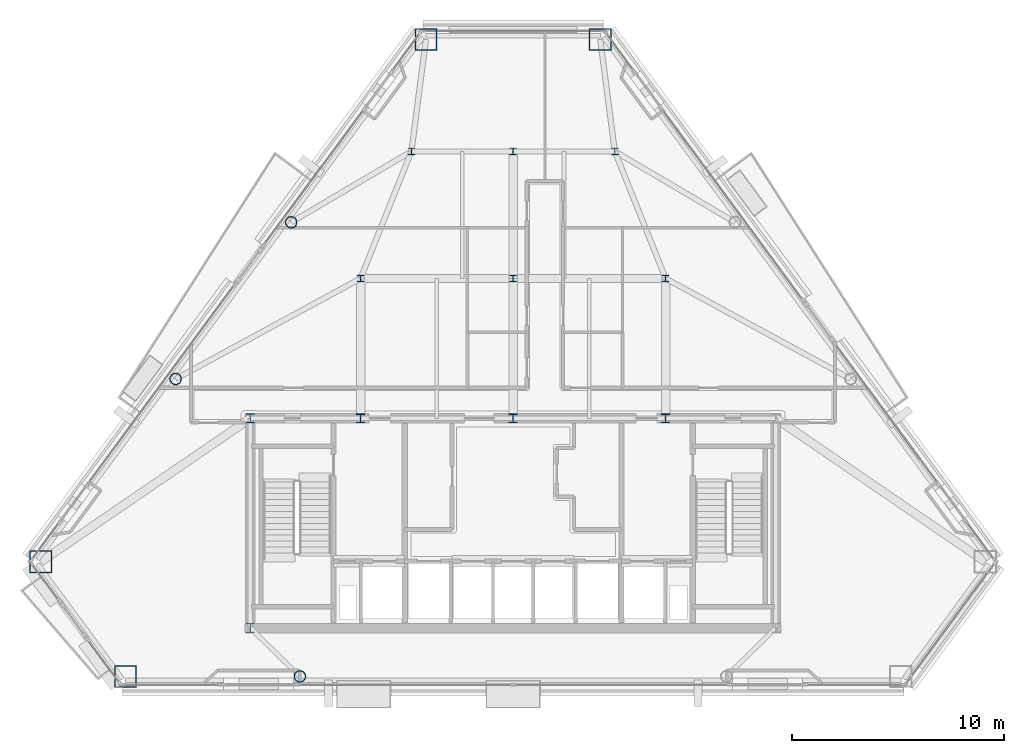
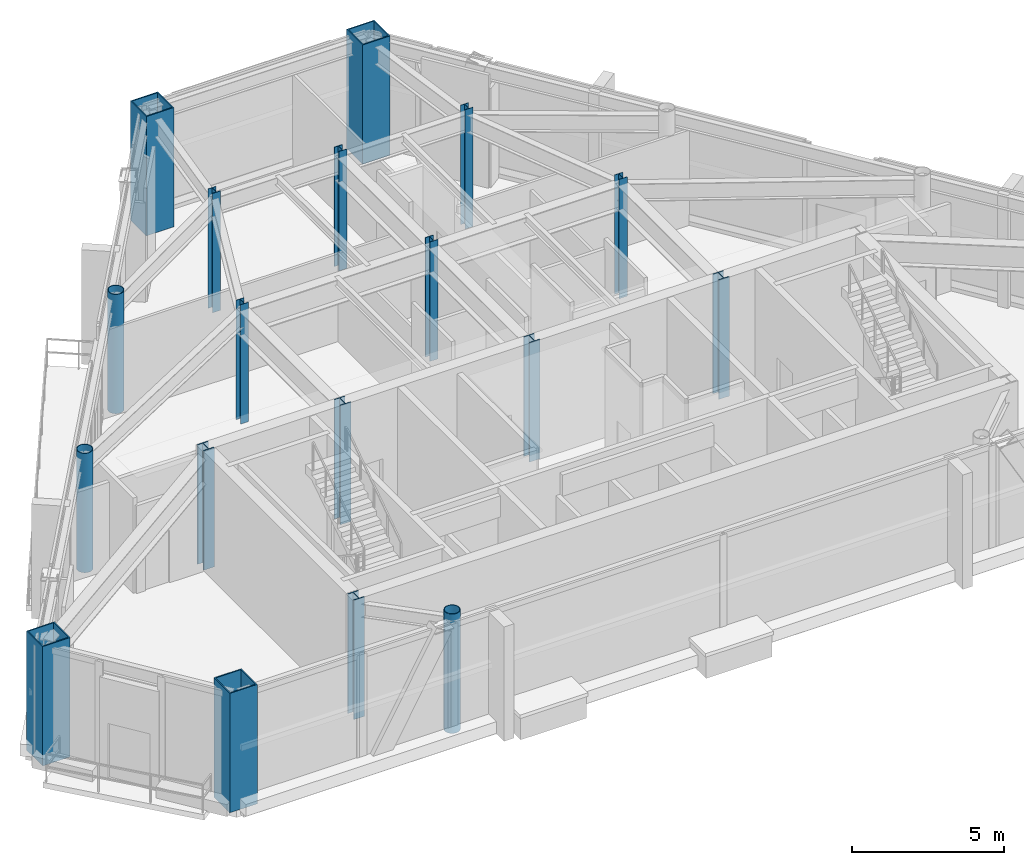
# One storey, part 1 of 10: 18 columns.
"""IFC4 building model written with IfcOpenShell, lengths in metres."""

from ifc_helpers import new_model, si_unit, direction, frame, origin, origin_2d, place, context, subcontext, project, spatial, hollow_rectangle, hollow_circle, i_section, extrude, material, material_profile, profile_set, type_object, element, save


model = new_model("IFC4")

# Units and contexts
model_context = context("Model", 3, precision=1e-05, world=origin(), true_north=direction((0.0, 1.0)))
body_context = subcontext(model_context, "Body", "Model", "MODEL_VIEW")
ifc_project = project(units=[si_unit("LENGTHUNIT", "METRE"), si_unit("AREAUNIT", "SQUARE_METRE"), si_unit("VOLUMEUNIT", "CUBIC_METRE"), si_unit("PLANEANGLEUNIT", "RADIAN"), si_unit("MASSUNIT", "GRAM", prefix="KILO")], contexts=[model_context])

# Site, building, storey
site_placement = place(None, origin())
site = spatial("IfcSite", under=ifc_project, at=site_placement, CompositionType="ELEMENT")
building_placement = place(site_placement, origin())
building = spatial("IfcBuilding", under=site, at=building_placement, Name="Talgorran Terracotta Tower", CompositionType="ELEMENT")
storey_placement = place(building_placement, frame((0.0, 0.0, 173.699951171875)))
storey = spatial("IfcBuildingStorey", under=building, at=storey_placement, Name="L45", CompositionType="ELEMENT", Elevation=173.699951171875)

# Columns
ifc_material_1 = material(Name="Steel S355 (300PLUS)", Category="steel")
ifc_material_profile_1 = material_profile(ifc_material_1, i_section(OverallWidth=0.306884765625, OverallDepth=0.314453125, WebThickness=0.011962890625, FlangeThickness=0.018798828125, at=origin_2d()), Name="310UC118")
ifc_profile_set_1 = profile_set([ifc_material_profile_1], Name="Steel S355 (300PLUS)")
column_type_1 = type_object("IfcColumnType", Name="COL_310UC118", PredefinedType="COLUMN", material=ifc_profile_set_1)
for number, where, z_axis, x_axis, name in (
    (1, (-7.199951171875, 2.39990234375, 0.0), (0.0, 0.0, 1.0), (1.0, 0.0, 0.0), "L45 Interior Gravity Column IC1"),
    (2, (0.0, 2.39990234375, 0.0), (0.0, 0.0, 1.0), (1.0, 0.0, 0.0), "L45 Interior Gravity Column IC2"),
    (3, (7.199951171875, 2.39990234375, 0.0), (0.0, 0.0, 1.0), (1.0, 0.0, 0.0), "L45 Interior Gravity Column IC3"),
    (4, (-4.800048828125, 8.39990234375, 0.0), (0.0, 0.0, 1.0), (1.0, 0.0, 0.0), "L45 Interior Gravity Column IC4"),
    (5, (0.0, 8.39990234375, 0.0), (0.0, 0.0, 1.0), (1.0, 0.0, 0.0), "L45 Interior Gravity Column IC5"),
    (6, (4.800048828125, 8.39990234375, 0.0), (0.0, 0.0, 1.0), (1.0, 0.0, 0.0), "L45 Interior Gravity Column IC6"),
):
    element("IfcColumn", number, at=place(storey_placement, frame(where, z_axis=z_axis, x_axis=x_axis)), inside=storey, type_object=column_type_1, Name=name, PredefinedType="COLUMN", context=body_context, shape_type="SweptSolid", body=[
        extrude(i_section(OverallWidth=0.306884765625, OverallDepth=0.314453125, WebThickness=0.011962890625, FlangeThickness=0.018798828125, at=origin_2d()), origin(), (0.0, 0.0, 1.0), 4.800048828125),
    ])
ifc_material_profile_2 = material_profile(ifc_material_1, i_section(OverallWidth=0.39990234375, OverallDepth=0.43994140625, WebThickness=0.028076171875, FlangeThickness=0.0400390625, at=origin_2d()), Name="400WC328")
ifc_profile_set_2 = profile_set([ifc_material_profile_2], Name="Steel S355 (300PLUS)")
column_type_2 = type_object("IfcColumnType", Name="COL_400WC328", PredefinedType="COLUMN", material=ifc_profile_set_2)
for number, where, z_axis, x_axis, name in (
    (7, (-12.39990234375, -14.10009765625, 0.0), (0.0, 0.0, 1.0), (1.0, 0.0, 0.0), "L45 Core Boundary Column CC1"),
    (8, (-12.39990234375, -4.199951171875, 0.0), (0.0, 0.0, 1.0), (1.0, 0.0, 0.0), "L45 Core Boundary Column CC4"),
):
    element("IfcColumn", number, at=place(storey_placement, frame(where, z_axis=z_axis, x_axis=x_axis)), inside=storey, type_object=column_type_2, Name=name, PredefinedType="COLUMN", context=body_context, shape_type="SweptSolid", body=[
        extrude(i_section(OverallWidth=0.39990234375, OverallDepth=0.43994140625, WebThickness=0.028076171875, FlangeThickness=0.0400390625, at=origin_2d()), origin(), (0.0, 0.0, 1.0), 4.800048828125),
    ])
ifc_material_2 = material(Name="Steel Grade 350 (350L0)", Category="steel")
ifc_material_profile_3 = material_profile(ifc_material_2, hollow_rectangle(XDim=1.050048828125, YDim=1.050048828125, WallThickness=0.044921875, at=origin_2d()), Name="CFT1050X1050X45")
ifc_profile_set_3 = profile_set([ifc_material_profile_3], Name="Steel Grade 350 (350L0)")
column_type_3 = type_object("IfcColumnType", Name="COL_CFT_1050", PredefinedType="COLUMN", material=ifc_profile_set_3)
for number, where, z_axis, x_axis, name in (
    (9, (-22.2939453125, -10.97021484375, 0.0), (0.0, 0.0, 1.0), (1.0, 0.0, 0.0), "L45 Corner CFT Mega-Column MC1"),
    (10, (-18.30078125, -16.385498046875, 0.0), (0.0, 0.0, 1.0), (1.0, 0.0, 0.0), "L45 Corner CFT Mega-Column MC2"),
    (11, (4.114013671875, 13.68359375, 0.0), (0.0, 0.0, 1.0), (1.0, 0.0, 0.0), "L45 Corner CFT Mega-Column MC5"),
    (12, (-4.114013671875, 13.68359375, 0.0), (0.0, 0.0, 1.0), (1.0, 0.0, 0.0), "L45 Corner CFT Mega-Column MC6"),
):
    element("IfcColumn", number, at=place(storey_placement, frame(where, z_axis=z_axis, x_axis=x_axis)), inside=storey, type_object=column_type_3, Name=name, PredefinedType="COLUMN", context=body_context, shape_type="SweptSolid", body=[
        extrude(hollow_rectangle(XDim=1.050048828125, YDim=1.050048828125, WallThickness=0.044921875, at=origin_2d()), origin(), (0.0, 0.0, 1.0), 4.800048828125),
    ])
ifc_material_profile_4 = material_profile(ifc_material_2, hollow_circle(Radius=0.27490234375, WallThickness=0.02392578125, at=origin_2d()), Name="CHS550X24")
ifc_profile_set_4 = profile_set([ifc_material_profile_4], Name="Steel Grade 350 (350L0)")
column_type_4 = type_object("IfcColumnType", Name="COL_CHS_550", PredefinedType="COLUMN", material=ifc_profile_set_4)
for number, where, z_axis, x_axis, name in (
    (13, (-10.0654296875, -16.385498046875, 0.0), (0.0, 0.0, 1.0), (1.0, 0.0, 0.0), "L45 Facet Perimeter Column FC1"),
    (14, (-10.47705078125, 5.0546875, 0.0), (0.0, 0.0, 1.0), (1.0, 0.0, 0.0), "L45 Facet Perimeter Column FC5"),
    (15, (-15.930908203125, -2.34130859375, 0.0), (0.0, 0.0, 1.0), (1.0, 0.0, 0.0), "L45 Facet Perimeter Column FC6"),
):
    element("IfcColumn", number, at=place(storey_placement, frame(where, z_axis=z_axis, x_axis=x_axis)), inside=storey, type_object=column_type_4, Name=name, PredefinedType="COLUMN", context=body_context, shape_type="SweptSolid", body=[
        extrude(hollow_circle(Radius=0.27490234375, WallThickness=0.02392578125, at=origin_2d()), origin(), (0.0, 0.0, 1.0), 4.800048828125),
    ])
ifc_material_profile_5 = material_profile(ifc_material_1, i_section(OverallWidth=0.405029296875, OverallDepth=0.4140625, WebThickness=0.02197265625, FlangeThickness=0.031982421875, at=origin_2d()), Name="400WC270")
ifc_profile_set_5 = profile_set([ifc_material_profile_5], Name="Steel S355 (300PLUS)")
column_type_5 = type_object("IfcColumnType", Name="COL_PIL_400WC270", PredefinedType="PILASTER", material=ifc_profile_set_5)
for number, where, z_axis, x_axis, name in (
    (16, (-7.199951171875, -4.199951171875, 0.0), (0.0, 0.0, 1.0), (1.0, 0.0, 0.0), "L45 Core Shear Pilaster CP1"),
    (17, (0.0, -4.199951171875, 0.0), (0.0, 0.0, 1.0), (1.0, 0.0, 0.0), "L45 Core Shear Pilaster CP2"),
    (18, (7.199951171875, -4.199951171875, 0.0), (0.0, 0.0, 1.0), (1.0, 0.0, 0.0), "L45 Core Shear Pilaster CP3"),
):
    element("IfcColumn", number, at=place(storey_placement, frame(where, z_axis=z_axis, x_axis=x_axis)), inside=storey, type_object=column_type_5, Name=name, PredefinedType="PILASTER", context=body_context, shape_type="SweptSolid", body=[
        extrude(i_section(OverallWidth=0.405029296875, OverallDepth=0.4140625, WebThickness=0.02197265625, FlangeThickness=0.031982421875, at=origin_2d()), origin(), (0.0, 0.0, 1.0), 4.800048828125),
    ])

save(model, "model.ifc")
